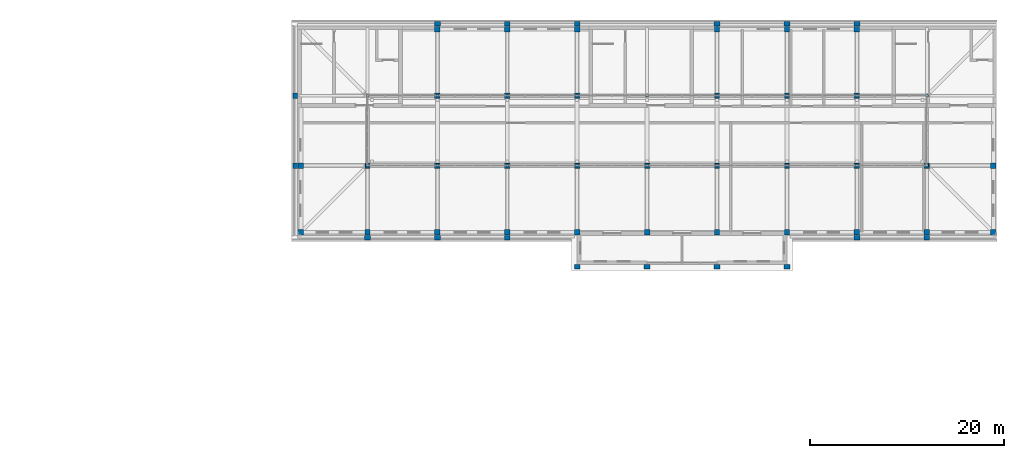
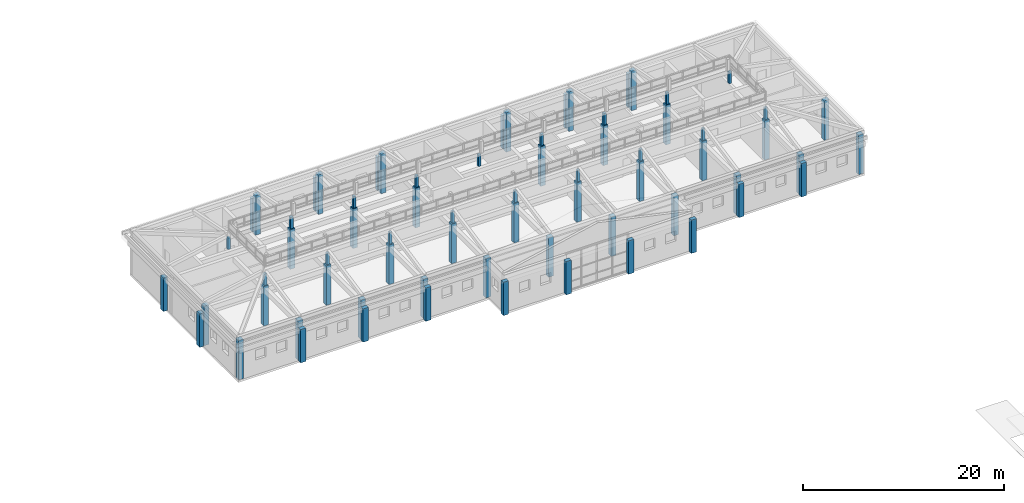
# One storey, part 3 of 48: 69 columns.
"""IFC4 building model written with IfcOpenShell, lengths in metres."""

from ifc_helpers import new_model, si_unit, direction, frame, origin, origin_2d, place, context, subcontext, project, spatial, rectangle, extrude, material, material_profile, profile_set, type_object, element, save


model = new_model("IFC4")

# Units and contexts
model_context = context("Model", 3, precision=1e-05, world=origin(), true_north=direction((0.0, 1.0)))
body_context = subcontext(model_context, "Body", "Model", "MODEL_VIEW")
ifc_project = project(units=[si_unit("LENGTHUNIT", "METRE"), si_unit("AREAUNIT", "SQUARE_METRE"), si_unit("VOLUMEUNIT", "CUBIC_METRE"), si_unit("PLANEANGLEUNIT", "RADIAN"), si_unit("MASSUNIT", "GRAM", prefix="KILO")], contexts=[model_context])

# Site, building, storey
site_placement = place(None, origin())
site = spatial("IfcSite", under=ifc_project, at=site_placement, CompositionType="ELEMENT")
building_placement = place(site_placement, origin())
building = spatial("IfcBuilding", under=site, at=building_placement, Name="Alderwick Market Hall", CompositionType="ELEMENT")
storey_placement = place(building_placement, frame((0.0, 0.0, 14.39990234375)))
storey = spatial("IfcBuildingStorey", under=building, at=storey_placement, Name="L02", CompositionType="ELEMENT", Elevation=14.39990234375)

# Columns
ifc_material = material(Name="Concrete 5000 psi (f'c 35 MPa)", Category="concrete")
ifc_material_profile_1 = material_profile(ifc_material, rectangle(XDim=0.550048828125, YDim=0.550048828125, at=origin_2d()), Name="RC 550x550")
ifc_profile_set_1 = profile_set([ifc_material_profile_1], Name="Concrete 5000 psi (f'c 35 MPa)")
column_type_1 = type_object("IfcColumnType", Name="F Column RC 550x550", PredefinedType="COLUMN", material=ifc_profile_set_1)
for number, where, z_axis, x_axis, name in (
    (1, (158.75, 129.949951171875, 0.0), (0.0, 0.0, 1.0), (1.0, 0.0, 0.0), "F.col.L02.01"),
    (2, (165.60009765625, 129.949951171875, 0.0), (0.0, 0.0, 1.0), (1.0, 0.0, 0.0), "F.col.L02.02"),
    (3, (172.800048828125, 129.949951171875, 0.0), (0.0, 0.0, 1.0), (1.0, 0.0, 0.0), "F.col.L02.03"),
    (4, (180.0, 129.949951171875, 0.0), (0.0, 0.0, 1.0), (1.0, 0.0, 0.0), "F.col.L02.04"),
    (5, (187.199951171875, 129.949951171875, 0.0), (0.0, 0.0, 1.0), (1.0, 0.0, 0.0), "F.col.L02.05"),
    (6, (194.39990234375, 129.949951171875, 0.0), (0.0, 0.0, 1.0), (1.0, 0.0, 0.0), "F.col.L02.06"),
    (7, (201.60009765625, 129.949951171875, 0.0), (0.0, 0.0, 1.0), (1.0, 0.0, 0.0), "F.col.L02.07"),
    (8, (208.800048828125, 129.949951171875, 0.0), (0.0, 0.0, 1.0), (1.0, 0.0, 0.0), "F.col.L02.08"),
    (9, (216.0, 129.949951171875, 0.0), (0.0, 0.0, 1.0), (1.0, 0.0, 0.0), "F.col.L02.09"),
    (10, (223.199951171875, 129.949951171875, 0.0), (0.0, 0.0, 1.0), (1.0, 0.0, 0.0), "F.col.L02.10"),
    (11, (230.050048828125, 129.949951171875, 0.0), (0.0, 0.0, 1.0), (1.0, 0.0, 0.0), "F.col.L02.11"),
    (12, (158.75, 136.800048828125, 0.0), (0.0, 0.0, 1.0), (1.0, 0.0, 0.0), "F.col.L02.12"),
    (13, (165.60009765625, 136.800048828125, 0.0), (0.0, 0.0, 1.0), (1.0, 0.0, 0.0), "F.col.L02.13"),
    (14, (172.800048828125, 136.800048828125, 0.0), (0.0, 0.0, 1.0), (1.0, 0.0, 0.0), "F.col.L02.14"),
    (15, (180.0, 136.800048828125, 0.0), (0.0, 0.0, 1.0), (1.0, 0.0, 0.0), "F.col.L02.15"),
    (16, (187.199951171875, 136.800048828125, 0.0), (0.0, 0.0, 1.0), (1.0, 0.0, 0.0), "F.col.L02.16"),
    (17, (194.39990234375, 136.800048828125, 0.0), (0.0, 0.0, 1.0), (1.0, 0.0, 0.0), "F.col.L02.17"),
    (18, (201.60009765625, 136.800048828125, 0.0), (0.0, 0.0, 1.0), (1.0, 0.0, 0.0), "F.col.L02.18"),
    (19, (208.800048828125, 136.800048828125, 0.0), (0.0, 0.0, 1.0), (1.0, 0.0, 0.0), "F.col.L02.19"),
    (20, (216.0, 136.800048828125, 0.0), (0.0, 0.0, 1.0), (1.0, 0.0, 0.0), "F.col.L02.20"),
    (21, (223.199951171875, 136.800048828125, 0.0), (0.0, 0.0, 1.0), (1.0, 0.0, 0.0), "F.col.L02.21"),
    (22, (230.050048828125, 136.800048828125, 0.0), (0.0, 0.0, 1.0), (1.0, 0.0, 0.0), "F.col.L02.22"),
    (23, (172.800048828125, 144.0, 0.0), (0.0, 0.0, 1.0), (1.0, 0.0, 0.0), "F.col.L02.23"),
    (24, (180.0, 144.0, 0.0), (0.0, 0.0, 1.0), (1.0, 0.0, 0.0), "F.col.L02.24"),
    (25, (187.199951171875, 144.0, 0.0), (0.0, 0.0, 1.0), (1.0, 0.0, 0.0), "F.col.L02.25"),
    (26, (201.60009765625, 144.0, 0.0), (0.0, 0.0, 1.0), (1.0, 0.0, 0.0), "F.col.L02.26"),
    (27, (208.800048828125, 144.0, 0.0), (0.0, 0.0, 1.0), (1.0, 0.0, 0.0), "F.col.L02.27"),
    (28, (216.0, 144.0, 0.0), (0.0, 0.0, 1.0), (1.0, 0.0, 0.0), "F.col.L02.28"),
    (29, (172.800048828125, 150.85009765625, 0.0), (0.0, 0.0, 1.0), (1.0, 0.0, 0.0), "F.col.L02.29"),
    (30, (180.0, 150.85009765625, 0.0), (0.0, 0.0, 1.0), (1.0, 0.0, 0.0), "F.col.L02.30"),
    (31, (187.199951171875, 150.85009765625, 0.0), (0.0, 0.0, 1.0), (1.0, 0.0, 0.0), "F.col.L02.31"),
    (32, (201.60009765625, 150.85009765625, 0.0), (0.0, 0.0, 1.0), (1.0, 0.0, 0.0), "F.col.L02.32"),
    (33, (208.800048828125, 150.85009765625, 0.0), (0.0, 0.0, 1.0), (1.0, 0.0, 0.0), "F.col.L02.33"),
    (34, (216.0, 150.85009765625, 0.0), (0.0, 0.0, 1.0), (1.0, 0.0, 0.0), "F.col.L02.34"),
):
    element("IfcColumn", number, at=place(storey_placement, frame(where, z_axis=z_axis, x_axis=x_axis)), inside=storey, type_object=column_type_1, Name=name, PredefinedType="COLUMN", context=body_context, shape_type="SweptSolid", body=[
        extrude(rectangle(XDim=0.550048828125, YDim=0.550048828125, at=origin_2d()), origin(), (0.0, 0.0, 1.0), 4.800048828125),
    ])
ifc_material_profile_2 = material_profile(ifc_material, rectangle(XDim=0.60009765625, YDim=0.449951171875, at=origin_2d()), Name="PC 600x450")
ifc_profile_set_2 = profile_set([ifc_material_profile_2], Name="Concrete 5000 psi (f'c 35 MPa)")
column_type_2 = type_object("IfcColumnType", Name="F Pilaster Precast Concrete 600x450", PredefinedType="PILASTER", material=ifc_profile_set_2)
for number, where, z_axis, x_axis, name in (
    (35, (165.60009765625, 129.375, 0.0), (0.0, 0.0, 1.0), (1.0, 0.0, 0.0), "F.pilaster.L02.004"),
    (36, (172.800048828125, 129.375, 0.0), (0.0, 0.0, 1.0), (1.0, 0.0, 0.0), "F.pilaster.L02.008"),
    (37, (180.0, 129.375, 0.0), (0.0, 0.0, 1.0), (1.0, 0.0, 0.0), "F.pilaster.L02.012"),
    (38, (216.0, 129.375, 0.0), (0.0, 0.0, 1.0), (1.0, 0.0, 0.0), "F.pilaster.L02.016"),
    (39, (223.199951171875, 129.375, 0.0), (0.0, 0.0, 1.0), (1.0, 0.0, 0.0), "F.pilaster.L02.020"),
    (40, (172.800048828125, 151.425048828125, 0.0), (0.0, 0.0, 1.0), (1.0, 0.0, 0.0), "F.pilaster.L02.023"),
    (41, (180.0, 151.425048828125, 0.0), (0.0, 0.0, 1.0), (1.0, 0.0, 0.0), "F.pilaster.L02.026"),
    (42, (187.199951171875, 151.425048828125, 0.0), (0.0, 0.0, 1.0), (1.0, 0.0, 0.0), "F.pilaster.L02.029"),
    (43, (201.60009765625, 151.425048828125, 0.0), (0.0, 0.0, 1.0), (1.0, 0.0, 0.0), "F.pilaster.L02.032"),
    (44, (208.800048828125, 151.425048828125, 0.0), (0.0, 0.0, 1.0), (1.0, 0.0, 0.0), "F.pilaster.L02.035"),
    (45, (216.0, 151.425048828125, 0.0), (0.0, 0.0, 1.0), (1.0, 0.0, 0.0), "F.pilaster.L02.038"),
    (46, (158.175048828125, 136.800048828125, 0.0), (0.0, 0.0, 1.0), (0.0, 1.0, 0.0), "F.pilaster.L02.041"),
    (47, (158.175048828125, 144.0, 0.0), (0.0, 0.0, 1.0), (0.0, 1.0, 0.0), "F.pilaster.L02.044"),
    (48, (187.199951171875, 126.375, 0.0), (0.0, 0.0, 1.0), (1.0, 0.0, 0.0), "F.pilaster.L02.pav1.01"),
    (49, (194.39990234375, 126.375, 0.0), (0.0, 0.0, 1.0), (1.0, 0.0, 0.0), "F.pilaster.L02.pav1.02"),
    (50, (201.60009765625, 126.375, 0.0), (0.0, 0.0, 1.0), (1.0, 0.0, 0.0), "F.pilaster.L02.pav1.03"),
    (51, (208.800048828125, 126.375, 0.0), (0.0, 0.0, 1.0), (1.0, 0.0, 0.0), "F.pilaster.L02.pav1.04"),
):
    element("IfcColumn", number, at=place(storey_placement, frame(where, z_axis=z_axis, x_axis=x_axis)), inside=storey, type_object=column_type_2, Name=name, PredefinedType="PILASTER", context=body_context, shape_type="SweptSolid", body=[
        extrude(rectangle(XDim=0.60009765625, YDim=0.449951171875, at=origin_2d()), origin(), (0.0, 0.0, 1.0), 4.050048828125),
    ])
ifc_material_profile_3 = material_profile(ifc_material, rectangle(XDim=0.300048828125, YDim=0.300048828125, at=origin_2d()), Name="RC 300x300")
ifc_profile_set_3 = profile_set([ifc_material_profile_3], Name="Concrete 5000 psi (f'c 35 MPa)")
column_type_3 = type_object("IfcColumnType", Name="F Roof Post RC 300x300", PredefinedType="COLUMN", material=ifc_profile_set_3)
for number, where, z_axis, x_axis, name in (
    (52, (165.60009765625, 136.800048828125, 4.800048828125), (0.0, 0.0, 1.0), (1.0, 0.0, 0.0), "F.roofpost.L02.01"),
    (53, (172.800048828125, 136.800048828125, 4.800048828125), (0.0, 0.0, 1.0), (1.0, 0.0, 0.0), "F.roofpost.L02.02"),
    (54, (180.0, 136.800048828125, 4.800048828125), (0.0, 0.0, 1.0), (1.0, 0.0, 0.0), "F.roofpost.L02.03"),
    (55, (187.199951171875, 136.800048828125, 4.800048828125), (0.0, 0.0, 1.0), (1.0, 0.0, 0.0), "F.roofpost.L02.04"),
    (56, (194.39990234375, 136.800048828125, 4.800048828125), (0.0, 0.0, 1.0), (1.0, 0.0, 0.0), "F.roofpost.L02.05"),
    (57, (201.60009765625, 136.800048828125, 4.800048828125), (0.0, 0.0, 1.0), (1.0, 0.0, 0.0), "F.roofpost.L02.06"),
    (58, (208.800048828125, 136.800048828125, 4.800048828125), (0.0, 0.0, 1.0), (1.0, 0.0, 0.0), "F.roofpost.L02.07"),
    (59, (216.0, 136.800048828125, 4.800048828125), (0.0, 0.0, 1.0), (1.0, 0.0, 0.0), "F.roofpost.L02.08"),
    (60, (223.199951171875, 136.800048828125, 4.800048828125), (0.0, 0.0, 1.0), (1.0, 0.0, 0.0), "F.roofpost.L02.09"),
    (61, (165.60009765625, 144.0, 4.800048828125), (0.0, 0.0, 1.0), (1.0, 0.0, 0.0), "F.roofpost.L02.10"),
    (62, (172.800048828125, 144.0, 4.800048828125), (0.0, 0.0, 1.0), (1.0, 0.0, 0.0), "F.roofpost.L02.11"),
    (63, (180.0, 144.0, 4.800048828125), (0.0, 0.0, 1.0), (1.0, 0.0, 0.0), "F.roofpost.L02.12"),
    (64, (187.199951171875, 144.0, 4.800048828125), (0.0, 0.0, 1.0), (1.0, 0.0, 0.0), "F.roofpost.L02.13"),
    (65, (194.39990234375, 144.0, 4.800048828125), (0.0, 0.0, 1.0), (1.0, 0.0, 0.0), "F.roofpost.L02.14"),
    (66, (201.60009765625, 144.0, 4.800048828125), (0.0, 0.0, 1.0), (1.0, 0.0, 0.0), "F.roofpost.L02.15"),
    (67, (208.800048828125, 144.0, 4.800048828125), (0.0, 0.0, 1.0), (1.0, 0.0, 0.0), "F.roofpost.L02.16"),
    (68, (216.0, 144.0, 4.800048828125), (0.0, 0.0, 1.0), (1.0, 0.0, 0.0), "F.roofpost.L02.17"),
    (69, (223.199951171875, 144.0, 4.800048828125), (0.0, 0.0, 1.0), (1.0, 0.0, 0.0), "F.roofpost.L02.18"),
):
    element("IfcColumn", number, at=place(storey_placement, frame(where, z_axis=z_axis, x_axis=x_axis)), inside=storey, type_object=column_type_3, Name=name, PredefinedType="COLUMN", context=body_context, shape_type="SweptSolid", body=[
        extrude(rectangle(XDim=0.300048828125, YDim=0.300048828125, at=origin_2d()), origin(), (0.0, 0.0, 1.0), 1.400146484375),
    ])

save(model, "model.ifc")
